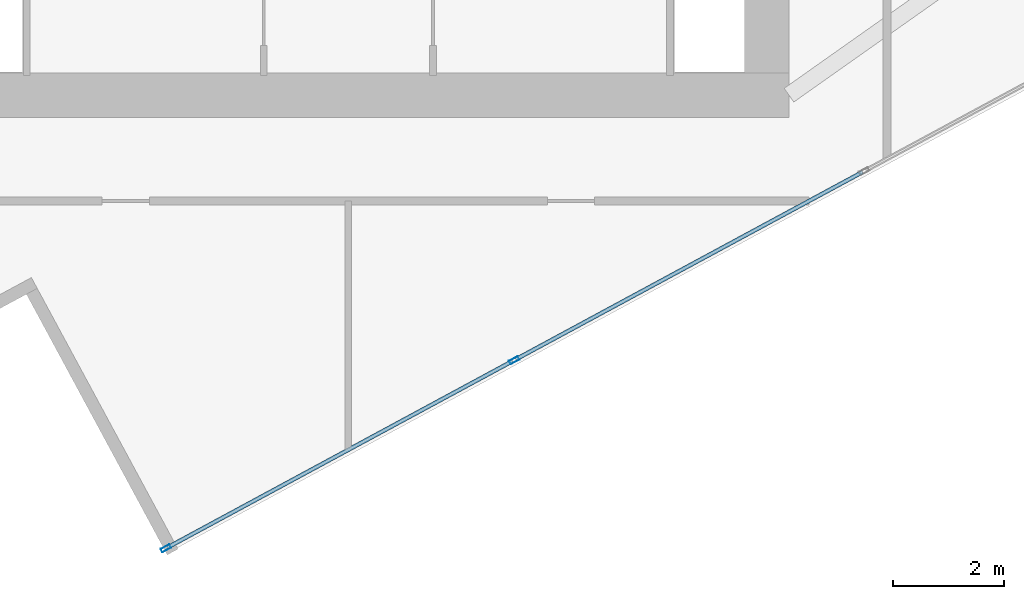
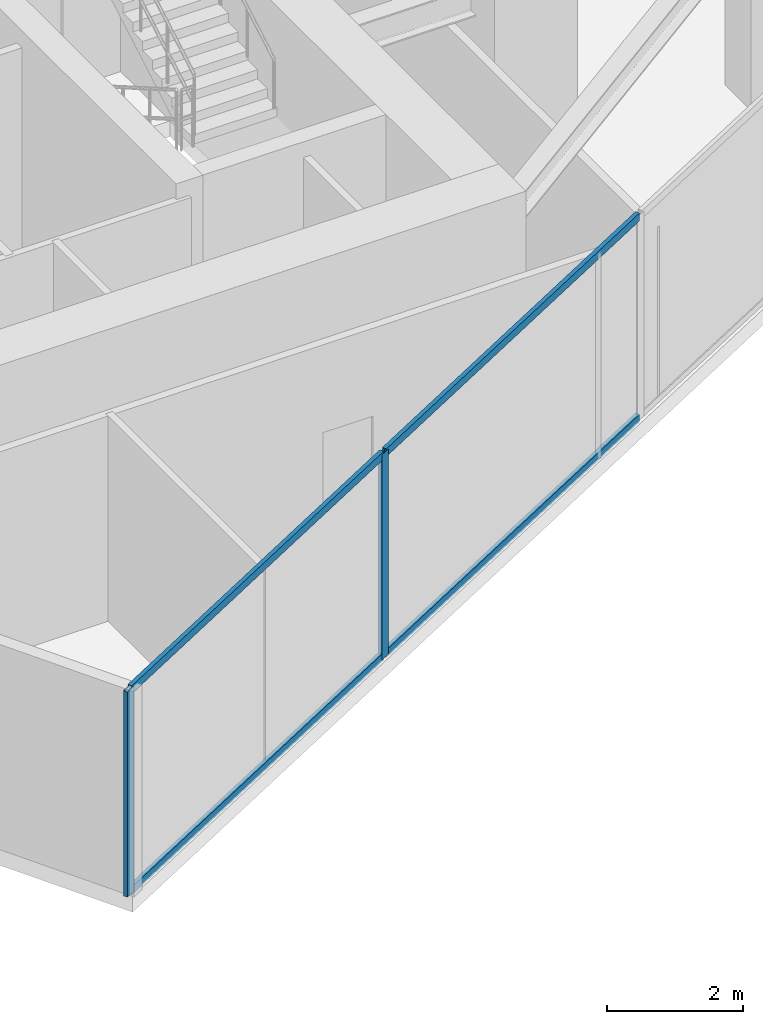
# One storey, part 3 of 22: 6 members, 1 element without a shape of its own.
"""IFC4 building model written with IfcOpenShell, lengths in metres."""

from ifc_helpers import new_model, si_unit, direction, frame, origin, origin_2d, place, context, subcontext, project, spatial, hollow_rectangle, extrude, source, transform, mapped, material, material_profile, profile_set, type_object, type_shapes, element, aggregate, save


model = new_model("IFC4")

# Units and contexts
model_context = context("Model", 3, precision=1e-05, world=origin(), true_north=direction((0.0, 1.0)))
body_context = subcontext(model_context, "Body", "Model", "MODEL_VIEW")
ifc_project = project(units=[si_unit("LENGTHUNIT", "METRE"), si_unit("AREAUNIT", "SQUARE_METRE"), si_unit("VOLUMEUNIT", "CUBIC_METRE"), si_unit("PLANEANGLEUNIT", "RADIAN"), si_unit("MASSUNIT", "GRAM", prefix="KILO")], contexts=[model_context])

# Site, building, storey
site_placement = place(None, origin())
site = spatial("IfcSite", under=ifc_project, at=site_placement, CompositionType="ELEMENT")
building_placement = place(site_placement, origin())
building = spatial("IfcBuilding", under=site, at=building_placement, Name="Krantzveldt Concourse Tower", CompositionType="ELEMENT")
storey_placement = place(building_placement, frame((0.0, 0.0, 302.949951171875)))
storey = spatial("IfcBuildingStorey", under=building, at=storey_placement, Name="L74", CompositionType="ELEMENT", Elevation=302.949951171875)

# Curtain wall, members
ifc_material = material(Name="Anodised aluminium 6063-T6", Category="aluminium")
curtain_wall_type = type_object("IfcCurtainWallType", Name="CW4", PredefinedType="USERDEFINED", material=ifc_material)
curtain_wall_placement = place(storey_placement, origin())
curtain_wall = element("IfcCurtainWall", 1, at=curtain_wall_placement, inside=storey, type_object=curtain_wall_type, Name="CW-L74-F07", ObjectType="UNITISED CURTAIN WALL", PredefinedType="USERDEFINED")
ifc_material_profile_1 = material_profile(ifc_material, hollow_rectangle(XDim=0.070068359375, YDim=0.179931640625, WallThickness=0.0048828125, at=origin_2d()), Name="Anodised aluminium 6063-T6", Category="aluminium")
ifc_profile_set_1 = profile_set([ifc_material_profile_1], Name="Anodised aluminium 6063-T6 - ALU-MULL 180x70x5")
member_type_1 = type_object("IfcMemberType", Name="CW-MUL-180", PredefinedType="MULLION", material=ifc_profile_set_1)
shared_shape_1 = source(origin(), body_context, "Body", "SweptSolid", [
    extrude(hollow_rectangle(XDim=0.070068359375, YDim=0.179931640625, WallThickness=0.0048828125, at=origin_2d()), origin(), (0.0, 0.0, 1.0), 3.670166015625),
])
type_shapes(member_type_1, [shared_shape_1])
member_1_placement = place(storey_placement, frame((32.720703125, 2.754638671875, 0.0), z_axis=(0.0, 0.0, 1.0), x_axis=(-0.475240271736, 0.87985605875, 0.0)))
member_1 = element("IfcMember", 2, at=member_1_placement, type_object=member_type_1, Name="CW-Z56 mullion 1", PredefinedType="MULLION", context=body_context, shape_type="MappedRepresentation", body=[
    mapped(shared_shape_1, transform((0.0, 0.0, 0.0), x_axis=(1.0, 0.0, 0.0), y_axis=(0.0, 1.0, 0.0), z_axis=(0.0, 0.0, 1.0), scale=1.0)),
])
member_2_placement = place(storey_placement, frame((38.98095703125, 6.135986328125, 0.0), z_axis=(0.0, 0.0, 1.0), x_axis=(-0.475240271736, 0.87985605875, 0.0)))
member_2 = element("IfcMember", 3, at=member_2_placement, type_object=member_type_1, Name="CW-Z56 mullion 2", PredefinedType="MULLION", context=body_context, shape_type="MappedRepresentation", body=[
    mapped(shared_shape_1, transform((0.0, 0.0, 0.0), x_axis=(1.0, 0.0, 0.0), y_axis=(0.0, 1.0, 0.0), z_axis=(0.0, 0.0, 1.0), scale=1.0)),
])
ifc_material_profile_2 = material_profile(ifc_material, hollow_rectangle(XDim=0.070068359375, YDim=0.139892578125, WallThickness=0.0048828125, at=origin_2d()), Name="Anodised aluminium 6063-T6", Category="aluminium")
ifc_profile_set_2 = profile_set([ifc_material_profile_2], Name="Anodised aluminium 6063-T6 - ALU-TRAN 140x70x5")
member_type_2 = type_object("IfcMemberType", Name="CW-TRN-150", PredefinedType="USERDEFINED", material=ifc_profile_set_2)
shared_shape_2 = source(origin(), body_context, "Body", "SweptSolid", [
    extrude(hollow_rectangle(XDim=0.070068359375, YDim=0.139892578125, WallThickness=0.0048828125, at=origin_2d()), origin(), (0.0, 0.0, 1.0), 7.044921875),
])
member_3_placement = place(storey_placement, frame((32.751708984375, 2.771240234375, 0.03515625), z_axis=(0.879848306025, 0.475254624791, 0.0), x_axis=(-0.475254624791, 0.879848306025, 0.0)))
member_3 = element("IfcMember", 4, at=member_3_placement, type_object=member_type_2, Name="CW-Z56 transom 1.1", ObjectType="TRANSOM", PredefinedType="USERDEFINED", context=body_context, shape_type="MappedRepresentation", body=[
    mapped(shared_shape_2, transform((0.0, 0.0, 0.0), x_axis=(1.0, 0.0, 0.0), y_axis=(0.0, 1.0, 0.0), z_axis=(0.0, 0.0, 1.0), scale=1.0)),
])
member_4_placement = place(storey_placement, frame((32.751708984375, 2.771240234375, 3.635009765625), z_axis=(0.879848306025, 0.475254624791, 0.0), x_axis=(-0.475254624791, 0.879848306025, 0.0)))
member_4 = element("IfcMember", 5, at=member_4_placement, type_object=member_type_2, Name="CW-Z56 transom 1.2", ObjectType="TRANSOM", PredefinedType="USERDEFINED", context=body_context, shape_type="MappedRepresentation", body=[
    mapped(shared_shape_2, transform((0.0, 0.0, 0.0), x_axis=(1.0, 0.0, 0.0), y_axis=(0.0, 1.0, 0.0), z_axis=(0.0, 0.0, 1.0), scale=1.0)),
])
shared_shape_3 = source(origin(), body_context, "Body", "SweptSolid", [
    extrude(hollow_rectangle(XDim=0.070068359375, YDim=0.139892578125, WallThickness=0.0048828125, at=origin_2d()), origin(), (0.0, 0.0, 1.0), 7.080078125),
])
type_shapes(member_type_2, [shared_shape_2, shared_shape_3])
member_5_placement = place(storey_placement, frame((39.01171875, 6.152587890625, 0.03515625), z_axis=(0.879856953046, 0.47523861604, 0.0), x_axis=(-0.47523861604, 0.879856953046, 0.0)))
member_5 = element("IfcMember", 6, at=member_5_placement, type_object=member_type_2, Name="CW-Z56 transom 2.1", ObjectType="TRANSOM", PredefinedType="USERDEFINED", context=body_context, shape_type="MappedRepresentation", body=[
    mapped(shared_shape_3, transform((0.0, 0.0, 0.0), x_axis=(1.0, 0.0, 0.0), y_axis=(0.0, 1.0, 0.0), z_axis=(0.0, 0.0, 1.0), scale=1.0)),
])
member_6_placement = place(storey_placement, frame((39.01171875, 6.152587890625, 3.635009765625), z_axis=(0.879856953046, 0.47523861604, 0.0), x_axis=(-0.47523861604, 0.879856953046, 0.0)))
member_6 = element("IfcMember", 7, at=member_6_placement, type_object=member_type_2, Name="CW-Z56 transom 2.2", ObjectType="TRANSOM", PredefinedType="USERDEFINED", context=body_context, shape_type="MappedRepresentation", body=[
    mapped(shared_shape_3, transform((0.0, 0.0, 0.0), x_axis=(1.0, 0.0, 0.0), y_axis=(0.0, 1.0, 0.0), z_axis=(0.0, 0.0, 1.0), scale=1.0)),
])
aggregate(curtain_wall, [member_1, member_2, member_3, member_4, member_5, member_6])

save(model, "model.ifc")
